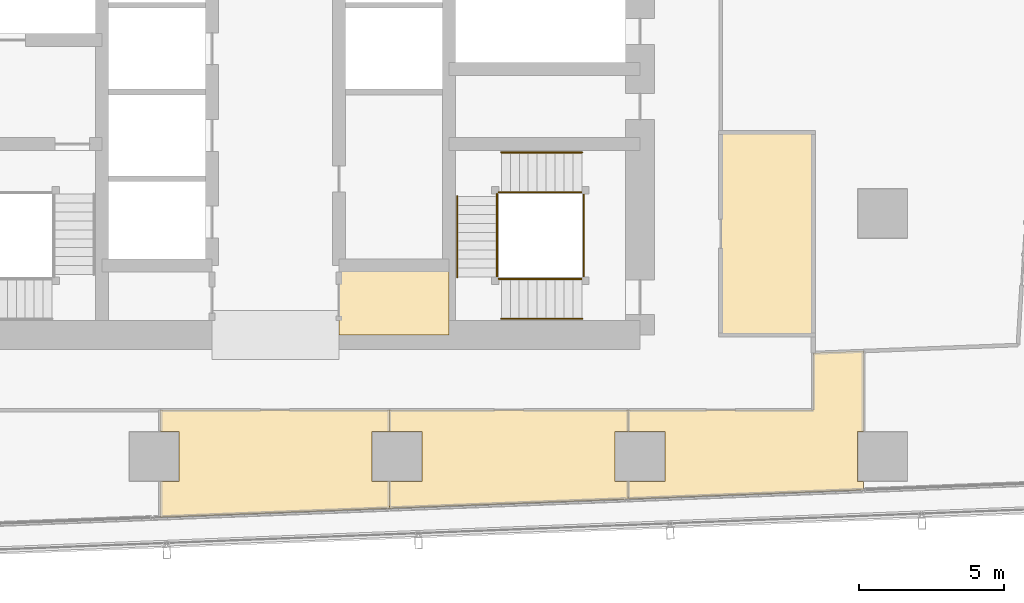
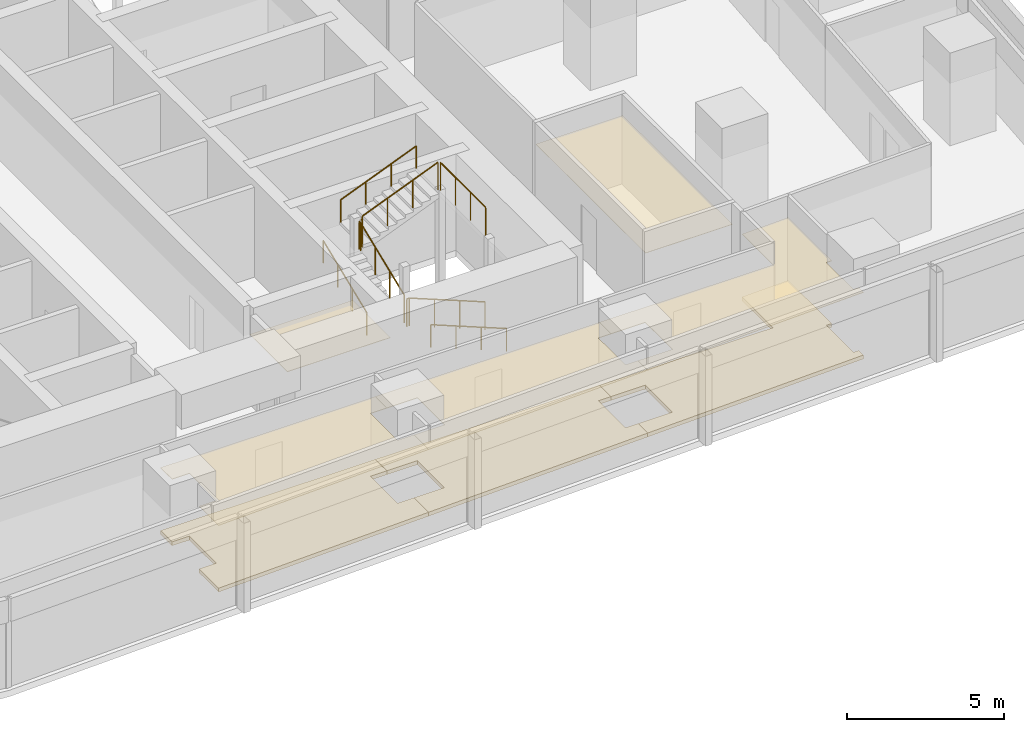
# One storey, part 35 of 38: 10 railings, 8 coverings.
"""IFC4 building model written with IfcOpenShell, lengths in metres."""

from ifc_helpers import new_model, si_unit, direction, frame, origin, origin_2d, place, context, subcontext, project, spatial, polyline, circle, outline, extrude, material, layer, layer_set, type_object, element, save


model = new_model("IFC4")

# Units and contexts
model_context = context("Model", 3, precision=1e-05, world=origin(), true_north=direction((0.0, 1.0)))
body_context = subcontext(model_context, "Body", "Model", "MODEL_VIEW")
ifc_project = project(units=[si_unit("LENGTHUNIT", "METRE"), si_unit("AREAUNIT", "SQUARE_METRE"), si_unit("VOLUMEUNIT", "CUBIC_METRE"), si_unit("PLANEANGLEUNIT", "RADIAN"), si_unit("MASSUNIT", "GRAM", prefix="KILO")], contexts=[model_context])

# Site, building, storey
site_placement = place(None, origin())
site = spatial("IfcSite", under=ifc_project, at=site_placement, CompositionType="ELEMENT")
building_placement = place(site_placement, origin())
building = spatial("IfcBuilding", under=site, at=building_placement, Name="Rekha Terrace Tower", CompositionType="ELEMENT")
storey_placement = place(building_placement, frame((0.0, 0.0, 114.050048828125)))
storey = spatial("IfcBuildingStorey", under=building, at=storey_placement, Name="L28", CompositionType="ELEMENT", Elevation=114.050048828125)

# Coverings
ifc_material_1 = material(Name="Mineral fibre tile in exposed grid", Category="finish")
ifc_layer_1 = layer(ifc_material_1, 0.02001953125)
ifc_layer_set_1 = layer_set([ifc_layer_1], Name="Mineral fibre tile in exposed grid")
covering_type_1 = type_object("IfcCoveringType", Name="CL1 600x1200 office grid ceiling", PredefinedType="CEILING", material=ifc_layer_set_1)
covering_1_placement = place(storey_placement, frame((0.0, 0.0, 2.579833984375)))
element("IfcCovering", 1, at=covering_1_placement, inside=storey, type_object=covering_type_1, Name="Ceiling L28-02", PredefinedType="CEILING", context=body_context, shape_type="SweptSolid", body=[
    extrude(outline(polyline([(41.740966796875, 15.93505859375), (41.740966796875, 15.0), (49.9990234375, 15.321044921875), (49.9990234375, 15.93505859375), (49.534912109375, 15.93505859375), (49.534912109375, 17.6650390625), (49.9990234375, 17.6650390625), (49.9990234375, 18.39990234375), (41.740966796875, 18.39990234375), (41.740966796875, 17.6650390625), (42.864990234375, 17.6650390625), (42.864990234375, 15.93505859375), (41.740966796875, 15.93505859375)])), origin(), (0.0, 0.0, 1.0), 0.02001953125),
])
covering_2_placement = place(storey_placement, frame((0.0, 0.0, 2.579833984375)))
element("IfcCovering", 2, at=covering_2_placement, inside=storey, type_object=covering_type_1, Name="Ceiling L28-03", PredefinedType="CEILING", context=body_context, shape_type="SweptSolid", body=[
    extrude(outline(polyline([(58.133056640625, 17.6650390625), (58.133056640625, 20.44189453125), (56.39990234375, 20.3740234375), (56.39990234375, 18.39990234375), (50.0, 18.39990234375), (50.0, 17.6650390625), (51.264892578125, 17.6650390625), (51.264892578125, 15.93505859375), (50.0, 15.93505859375), (50.0, 15.321044921875), (58.133056640625, 15.637939453125), (58.133056640625, 15.93505859375), (57.93505859375, 15.93505859375), (57.93505859375, 17.6650390625), (58.133056640625, 17.6650390625)])), origin(), (0.0, 0.0, 1.0), 0.02001953125),
])
covering_3_placement = place(storey_placement, frame((0.0, 0.0, 2.579833984375)))
element("IfcCovering", 3, at=covering_3_placement, inside=storey, type_object=covering_type_1, Name="Ceiling L28-21", PredefinedType="CEILING", context=body_context, shape_type="SweptSolid", body=[
    extrude(outline(polyline([(33.825927734375, 15.93505859375), (33.825927734375, 14.69189453125), (41.739990234375, 15.0), (41.739990234375, 15.93505859375), (41.135009765625, 15.93505859375), (41.135009765625, 17.6650390625), (41.739990234375, 17.6650390625), (41.739990234375, 18.39990234375), (33.825927734375, 18.39990234375), (33.825927734375, 17.6650390625), (34.465087890625, 17.6650390625), (34.465087890625, 15.93505859375), (33.825927734375, 15.93505859375)])), origin(), (0.0, 0.0, 1.0), 0.02001953125),
])
ifc_material_2 = material(Name="Fibre cement board", Category="finish")
ifc_layer_2 = layer(ifc_material_2, 0.014892578125)
ifc_layer_set_2 = layer_set([ifc_layer_2], Name="Fibre cement board")
covering_type_2 = type_object("IfcCoveringType", Name="CL2 moisture-resistant board ceiling", PredefinedType="CEILING", material=ifc_layer_set_2)
covering_4_placement = place(storey_placement, frame((0.0, 0.0, 2.5849609375)))
element("IfcCovering", 4, at=covering_4_placement, inside=storey, type_object=covering_type_2, Name="Ceiling L28-WCA", PredefinedType="CEILING", context=body_context, shape_type="SweptSolid", body=[
    extrude(outline(polyline([(43.800048828125, 23.39990234375), (40.0, 23.39990234375), (40.0, 21.0), (43.800048828125, 21.0), (43.800048828125, 23.39990234375)])), origin(), (0.0, 0.0, 1.0), 0.014892578125),
])
covering_5_placement = place(storey_placement, frame((0.0, 0.0, 2.5849609375)))
element("IfcCovering", 5, at=covering_5_placement, inside=storey, type_object=covering_type_2, Name="Ceiling L28-WCM2", PredefinedType="CEILING", context=body_context, shape_type="SweptSolid", body=[
    extrude(outline(polyline([(56.39990234375, 28.0), (53.199951171875, 28.0), (53.199951171875, 21.0), (56.39990234375, 21.0), (56.39990234375, 28.0)])), origin(), (0.0, 0.0, 1.0), 0.014892578125),
])

# Railings
ifc_material_3 = material(Name="Stainless steel balustrade", Category="steel")
railing_type_1 = type_object("IfcRailingType", Name="GR1 1100 stair guard", PredefinedType="GUARDRAIL", material=ifc_material_3)
railing_1_placement = place(storey_placement, frame((48.39990234375, 22.93994140625, 0.125)))
element("IfcRailing", 6, at=railing_1_placement, inside=storey, type_object=railing_type_1, Name="Guard ST3 L28 flight 1", PredefinedType="GUARDRAIL", context=body_context, shape_type="SweptSolid", body=[
    extrude(circle(Radius=0.02392578125, at=origin_2d()), frame((0.0, 0.0, 1.076171875), z_axis=(-0.927431937212, 0.0, 0.373991980981), x_axis=(0.0, -1.0, 0.0)), (0.0, 0.0, 1.0), 3.008056640625),
    extrude(circle(Radius=0.02099609375, at=origin_2d()), origin(), (0.0, 0.0, 1.0), 1.052001953125),
    extrude(circle(Radius=0.02099609375, at=origin_2d()), frame((-0.929931640625, 0.0, 0.375)), (0.0, 0.0, 1.0), 1.052001953125),
    extrude(circle(Radius=0.02099609375, at=origin_2d()), frame((-1.85986328125, 0.0, 0.75)), (0.0, 0.0, 1.0), 1.052001953125),
    extrude(circle(Radius=0.02099609375, at=origin_2d()), frame((-2.789794921875, 0.0, 1.125)), (0.0, 0.0, 1.0), 1.052001953125),
])
railing_2_placement = place(storey_placement, frame((45.465087890625, 23.0, 1.375)))
element("IfcRailing", 7, at=railing_2_placement, inside=storey, type_object=railing_type_1, Name="Guard ST3 L28 flight 2", PredefinedType="GUARDRAIL", context=body_context, shape_type="SweptSolid", body=[
    extrude(circle(Radius=0.02392578125, at=origin_2d()), frame((0.0, 0.0, 1.076171875), z_axis=(0.0, 0.927443287984, 0.373963831907), x_axis=(-1.0, 0.0, 0.0)), (0.0, 0.0, 1.0), 3.00830078125),
    extrude(circle(Radius=0.02099609375, at=origin_2d()), origin(), (0.0, 0.0, 1.0), 1.052001953125),
    extrude(circle(Radius=0.02099609375, at=origin_2d()), frame((0.0, 0.929931640625, 0.375)), (0.0, 0.0, 1.0), 1.052001953125),
    extrude(circle(Radius=0.02099609375, at=origin_2d()), frame((0.0, 1.860107421875, 0.75)), (0.0, 0.0, 1.0), 1.052001953125),
    extrude(circle(Radius=0.02099609375, at=origin_2d()), frame((0.0, 2.7900390625, 1.125)), (0.0, 0.0, 1.0), 1.052001953125),
])
railing_3_placement = place(storey_placement, frame((45.610107421875, 25.93505859375, 2.625)))
element("IfcRailing", 8, at=railing_3_placement, inside=storey, type_object=railing_type_1, Name="Guard ST3 L28 flight 3", PredefinedType="GUARDRAIL", context=body_context, shape_type="SweptSolid", body=[
    extrude(circle(Radius=0.02392578125, at=origin_2d()), frame((0.0, 0.0, 1.076171875), z_axis=(0.927431937212, 0.0, 0.373991980981), x_axis=(0.0, 1.0, 0.0)), (0.0, 0.0, 1.0), 3.008056640625),
    extrude(circle(Radius=0.02099609375, at=origin_2d()), origin(), (0.0, 0.0, 1.0), 1.052001953125),
    extrude(circle(Radius=0.02099609375, at=origin_2d()), frame((0.929931640625, 0.0, 0.375)), (0.0, 0.0, 1.0), 1.052001953125),
    extrude(circle(Radius=0.02099609375, at=origin_2d()), frame((1.85986328125, 0.0, 0.75)), (0.0, 0.0, 1.0), 1.052001953125),
    extrude(circle(Radius=0.02099609375, at=origin_2d()), frame((2.789794921875, 0.0, 1.125)), (0.0, 0.0, 1.0), 1.052001953125),
])
railing_4_placement = place(storey_placement, frame((45.610107421875, 22.93994140625, 1.25)))
element("IfcRailing", 9, at=railing_4_placement, inside=storey, type_object=railing_type_1, Name="Guard ST3 L28 landing 1", PredefinedType="GUARDRAIL", context=body_context, shape_type="SweptSolid", body=[
    extrude(circle(Radius=0.02392578125, at=origin_2d()), frame((0.0, 0.0, 1.076171875), z_axis=(-1.0, 0.0, 0.0), x_axis=(0.0, -1.0, 0.0)), (0.0, 0.0, 1.0), 0.085205078125),
    extrude(circle(Radius=0.02099609375, at=origin_2d()), origin(), (0.0, 0.0, 1.0), 1.052001953125),
    extrude(circle(Radius=0.02099609375, at=origin_2d()), frame((-0.085205078125, 0.0, 0.0)), (0.0, 0.0, 1.0), 1.052001953125),
])
railing_5_placement = place(storey_placement, frame((45.465087890625, 25.7900390625, 2.5)))
element("IfcRailing", 10, at=railing_5_placement, inside=storey, type_object=railing_type_1, Name="Guard ST3 L28 landing 2", PredefinedType="GUARDRAIL", context=body_context, shape_type="SweptSolid", body=[
    extrude(circle(Radius=0.02392578125, at=origin_2d()), frame((0.0, 0.0, 1.076171875), z_axis=(0.0, 1.0, 0.0), x_axis=(-1.0, 0.0, 0.0)), (0.0, 0.0, 1.0), 0.0849609375),
    extrude(circle(Radius=0.02099609375, at=origin_2d()), origin(), (0.0, 0.0, 1.0), 1.052001953125),
    extrude(circle(Radius=0.02099609375, at=origin_2d()), frame((0.0, 0.0849609375, 0.0)), (0.0, 0.0, 1.0), 1.052001953125),
])
railing_6_placement = place(storey_placement, frame((45.610107421875, 25.93505859375, 2.5)))
element("IfcRailing", 11, at=railing_6_placement, inside=storey, type_object=railing_type_1, Name="Guard ST3 L28 landing 3", PredefinedType="GUARDRAIL", context=body_context, shape_type="SweptSolid", body=[
    extrude(circle(Radius=0.02392578125, at=origin_2d()), frame((0.0, 0.0, 1.076171875), z_axis=(-1.0, 0.0, 0.0), x_axis=(0.0, -1.0, 0.0)), (0.0, 0.0, 1.0), 0.085205078125),
    extrude(circle(Radius=0.02099609375, at=origin_2d()), origin(), (0.0, 0.0, 1.0), 1.052001953125),
    extrude(circle(Radius=0.02099609375, at=origin_2d()), frame((-0.085205078125, 0.0, 0.0)), (0.0, 0.0, 1.0), 1.052001953125),
])
railing_7_placement = place(storey_placement, frame((48.4599609375, 23.0, 3.75)))
element("IfcRailing", 12, at=railing_7_placement, inside=storey, type_object=railing_type_1, Name="Guard ST3 L28 landing 4", PredefinedType="GUARDRAIL", context=body_context, shape_type="SweptSolid", body=[
    extrude(circle(Radius=0.02392578125, at=origin_2d()), frame((0.0, 0.0, 1.076171875), z_axis=(0.0, 1.0, 0.0), x_axis=(-1.0, 0.0, 0.0)), (0.0, 0.0, 1.0), 2.875),
    extrude(circle(Radius=0.02099609375, at=origin_2d()), origin(), (0.0, 0.0, 1.0), 1.052001953125),
    extrude(circle(Radius=0.02099609375, at=origin_2d()), frame((0.0, 0.958251953125, 0.0)), (0.0, 0.0, 1.0), 1.052001953125),
    extrude(circle(Radius=0.02099609375, at=origin_2d()), frame((0.0, 1.916748046875, 0.0)), (0.0, 0.0, 1.0), 1.052001953125),
    extrude(circle(Radius=0.02099609375, at=origin_2d()), frame((0.0, 2.875, 0.0)), (0.0, 0.0, 1.0), 1.052001953125),
])
ifc_material_4 = material(Name="Stainless steel tube", Category="steel")
railing_type_2 = type_object("IfcRailingType", Name="HR1 900 stair handrail", PredefinedType="HANDRAIL", material=ifc_material_4)
railing_8_placement = place(storey_placement, frame((48.39990234375, 21.56005859375, 0.125)))
element("IfcRailing", 13, at=railing_8_placement, inside=storey, type_object=railing_type_2, Name="Handrail ST3 L28 flight 1", PredefinedType="HANDRAIL", context=body_context, shape_type="SweptSolid", body=[
    extrude(circle(Radius=0.02392578125, at=origin_2d()), frame((0.0, 0.0, 0.8759765625), z_axis=(-0.927431937212, 0.0, 0.373991980981), x_axis=(0.0, -1.0, 0.0)), (0.0, 0.0, 1.0), 3.008056640625),
    extrude(circle(Radius=0.02099609375, at=origin_2d()), origin(), (0.0, 0.0, 1.0), 0.851806640625),
    extrude(circle(Radius=0.02099609375, at=origin_2d()), frame((-0.929931640625, 0.0, 0.375)), (0.0, 0.0, 1.0), 0.851806640625),
    extrude(circle(Radius=0.02099609375, at=origin_2d()), frame((-1.85986328125, 0.0, 0.75)), (0.0, 0.0, 1.0), 0.851806640625),
    extrude(circle(Radius=0.02099609375, at=origin_2d()), frame((-2.789794921875, 0.0, 1.125)), (0.0, 0.0, 1.0), 0.851806640625),
])
railing_9_placement = place(storey_placement, frame((44.0849609375, 23.0, 1.375)))
element("IfcRailing", 14, at=railing_9_placement, inside=storey, type_object=railing_type_2, Name="Handrail ST3 L28 flight 2", PredefinedType="HANDRAIL", context=body_context, shape_type="SweptSolid", body=[
    extrude(circle(Radius=0.02392578125, at=origin_2d()), frame((0.0, 0.0, 0.8759765625), z_axis=(0.0, 0.927443287984, 0.373963831907), x_axis=(-1.0, 0.0, 0.0)), (0.0, 0.0, 1.0), 3.00830078125),
    extrude(circle(Radius=0.02099609375, at=origin_2d()), origin(), (0.0, 0.0, 1.0), 0.851806640625),
    extrude(circle(Radius=0.02099609375, at=origin_2d()), frame((0.0, 0.929931640625, 0.375)), (0.0, 0.0, 1.0), 0.851806640625),
    extrude(circle(Radius=0.02099609375, at=origin_2d()), frame((0.0, 1.860107421875, 0.75)), (0.0, 0.0, 1.0), 0.851806640625),
    extrude(circle(Radius=0.02099609375, at=origin_2d()), frame((0.0, 2.7900390625, 1.125)), (0.0, 0.0, 1.0), 0.851806640625),
])
railing_10_placement = place(storey_placement, frame((45.610107421875, 27.31494140625, 2.625)))
element("IfcRailing", 15, at=railing_10_placement, inside=storey, type_object=railing_type_2, Name="Handrail ST3 L28 flight 3", PredefinedType="HANDRAIL", context=body_context, shape_type="SweptSolid", body=[
    extrude(circle(Radius=0.02392578125, at=origin_2d()), frame((0.0, 0.0, 0.8759765625), z_axis=(0.927431937212, 0.0, 0.373991980981), x_axis=(0.0, 1.0, 0.0)), (0.0, 0.0, 1.0), 3.008056640625),
    extrude(circle(Radius=0.02099609375, at=origin_2d()), origin(), (0.0, 0.0, 1.0), 0.851806640625),
    extrude(circle(Radius=0.02099609375, at=origin_2d()), frame((0.929931640625, 0.0, 0.375)), (0.0, 0.0, 1.0), 0.851806640625),
    extrude(circle(Radius=0.02099609375, at=origin_2d()), frame((1.85986328125, 0.0, 0.75)), (0.0, 0.0, 1.0), 0.851806640625),
    extrude(circle(Radius=0.02099609375, at=origin_2d()), frame((2.789794921875, 0.0, 1.125)), (0.0, 0.0, 1.0), 0.851806640625),
])

# Coverings
ifc_material_5 = material(Name="Calcium sulphate panels on steel pedestals", Category="steel")
ifc_layer_3 = layer(ifc_material_5, 0.14990234375)
ifc_layer_set_3 = layer_set([ifc_layer_3], Name="Calcium sulphate panels on steel pedestals")
covering_type_3 = type_object("IfcCoveringType", Name="RF1 150 raised access floor", PredefinedType="FLOORING", material=ifc_layer_set_3)
covering_6_placement = place(storey_placement, origin())
element("IfcCovering", 16, at=covering_6_placement, inside=storey, type_object=covering_type_3, Name="Raised floor L28-02", PredefinedType="FLOORING", context=body_context, shape_type="SweptSolid", body=[
    extrude(outline(polyline([(41.740966796875, 15.93505859375), (41.740966796875, 15.0), (49.9990234375, 15.321044921875), (49.9990234375, 15.93505859375), (49.534912109375, 15.93505859375), (49.534912109375, 17.6650390625), (49.9990234375, 17.6650390625), (49.9990234375, 18.39990234375), (41.740966796875, 18.39990234375), (41.740966796875, 17.6650390625), (42.864990234375, 17.6650390625), (42.864990234375, 15.93505859375), (41.740966796875, 15.93505859375)])), origin(), (0.0, 0.0, 1.0), 0.14990234375),
])
covering_7_placement = place(storey_placement, origin())
element("IfcCovering", 17, at=covering_7_placement, inside=storey, type_object=covering_type_3, Name="Raised floor L28-03", PredefinedType="FLOORING", context=body_context, shape_type="SweptSolid", body=[
    extrude(outline(polyline([(58.133056640625, 17.6650390625), (58.133056640625, 20.44189453125), (56.39990234375, 20.3740234375), (56.39990234375, 18.39990234375), (50.0, 18.39990234375), (50.0, 17.6650390625), (51.264892578125, 17.6650390625), (51.264892578125, 15.93505859375), (50.0, 15.93505859375), (50.0, 15.321044921875), (58.133056640625, 15.637939453125), (58.133056640625, 15.93505859375), (57.93505859375, 15.93505859375), (57.93505859375, 17.6650390625), (58.133056640625, 17.6650390625)])), origin(), (0.0, 0.0, 1.0), 0.14990234375),
])
covering_8_placement = place(storey_placement, origin())
element("IfcCovering", 18, at=covering_8_placement, inside=storey, type_object=covering_type_3, Name="Raised floor L28-21", PredefinedType="FLOORING", context=body_context, shape_type="SweptSolid", body=[
    extrude(outline(polyline([(33.825927734375, 15.93505859375), (33.825927734375, 14.69189453125), (41.739990234375, 15.0), (41.739990234375, 15.93505859375), (41.135009765625, 15.93505859375), (41.135009765625, 17.6650390625), (41.739990234375, 17.6650390625), (41.739990234375, 18.39990234375), (33.825927734375, 18.39990234375), (33.825927734375, 17.6650390625), (34.465087890625, 17.6650390625), (34.465087890625, 15.93505859375), (33.825927734375, 15.93505859375)])), origin(), (0.0, 0.0, 1.0), 0.14990234375),
])

save(model, "model.ifc")
